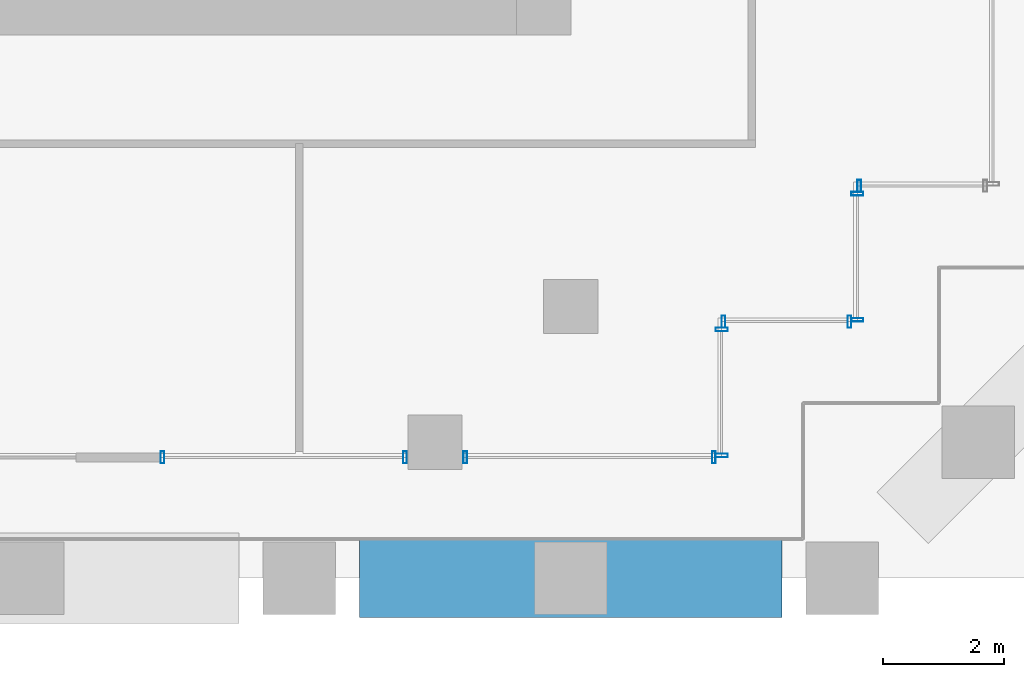
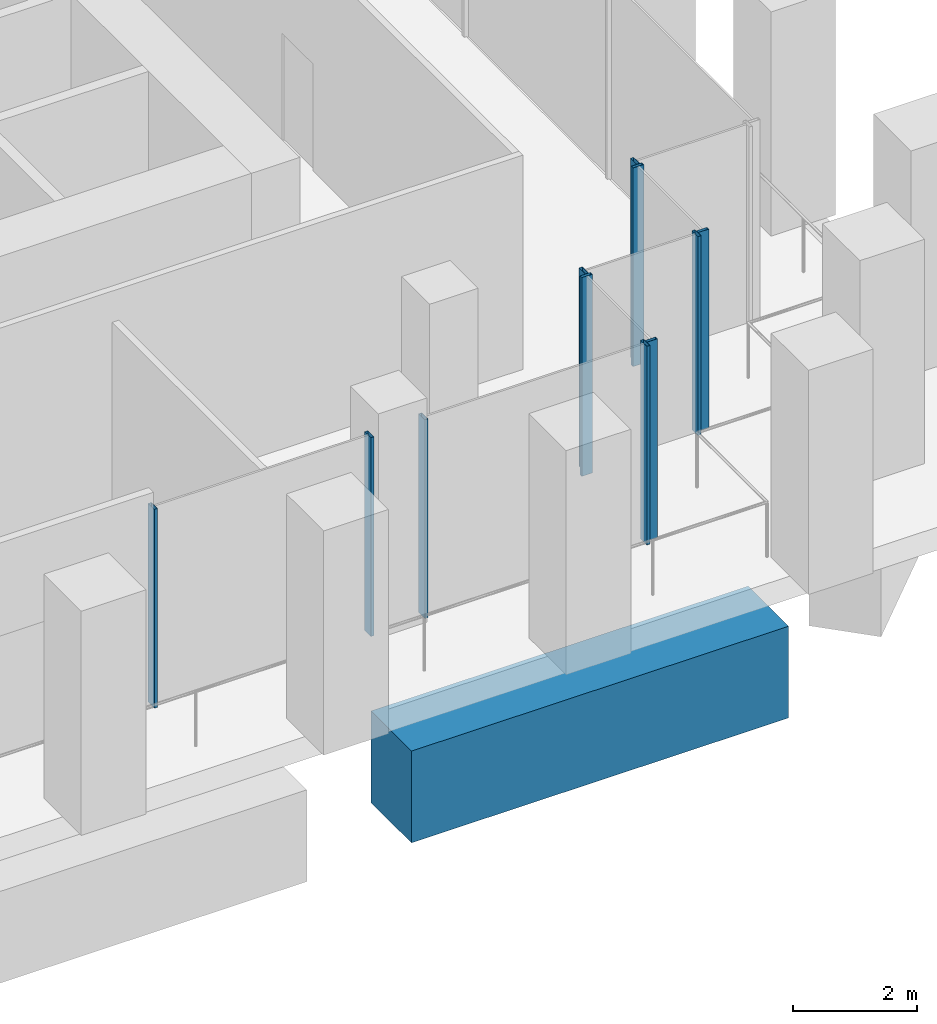
# One storey, part 17 of 32: 11 members, 1 beam, 6 elements without a shape of their own.
"""IFC4 building model written with IfcOpenShell, lengths in metres."""

from ifc_helpers import new_model, si_unit, direction, frame, origin, origin_2d, place, context, subcontext, project, spatial, rectangle, hollow_rectangle, extrude, material, material_profile, profile_set, type_object, element, aggregate, save


model = new_model("IFC4")

# Units and contexts
model_context = context("Model", 3, precision=1e-05, world=origin(), true_north=direction((0.0, 1.0)))
body_context = subcontext(model_context, "Body", "Model", "MODEL_VIEW")
ifc_project = project(units=[si_unit("LENGTHUNIT", "METRE"), si_unit("AREAUNIT", "SQUARE_METRE"), si_unit("VOLUMEUNIT", "CUBIC_METRE"), si_unit("PLANEANGLEUNIT", "RADIAN"), si_unit("MASSUNIT", "GRAM", prefix="KILO")], contexts=[model_context])

# Site, building, storey
site_placement = place(None, origin())
site = spatial("IfcSite", under=ifc_project, at=site_placement, CompositionType="ELEMENT")
building_placement = place(site_placement, origin())
building = spatial("IfcBuilding", under=site, at=building_placement, Name="Altepetl Exchange Towers", CompositionType="ELEMENT")
storey_placement = place(building_placement, frame((0.0, 0.0, 21.0)))
storey = spatial("IfcBuildingStorey", under=building, at=storey_placement, Name="L04", CompositionType="ELEMENT", Elevation=21.0)

# Curtain wall, members
ifc_material_1 = material(Name="Aluminium 6063-T6 glazing", Category="aluminium")
curtain_wall_type = type_object("IfcCurtainWallType", Name="Trading floor glazing system", PredefinedType="NOTDEFINED", material=ifc_material_1)
curtain_wall_1_placement = place(storey_placement, origin())
curtain_wall_1 = element("IfcCurtainWall", 1, at=curtain_wall_1_placement, inside=storey, type_object=curtain_wall_type, Name="CW2 run", PredefinedType="NOTDEFINED")
ifc_material_2 = material(Name="Aluminium 6063-T6", Category="aluminium")
ifc_material_profile_1 = material_profile(ifc_material_2, hollow_rectangle(XDim=0.06005859375, YDim=0.199951171875, WallThickness=0.0029296875, at=origin_2d()), Name="Mullion 60x200 aluminium")
ifc_profile_set_1 = profile_set([ifc_material_profile_1], Name="Aluminium 6063-T6")
member_type = type_object("IfcMemberType", Name="Mullion 60x200 aluminium", PredefinedType="MULLION", material=ifc_profile_set_1)
member_1_placement = place(storey_placement, frame((110.22998046875, 29.0, 0.0)))
member_1 = element("IfcMember", 2, at=member_1_placement, type_object=member_type, Name="MU2 mullion", PredefinedType="MULLION", context=body_context, shape_type="SweptSolid", body=[
    extrude(hollow_rectangle(XDim=0.06005859375, YDim=0.199951171875, WallThickness=0.0029296875, at=origin_2d()), origin(), (0.0, 0.0, 1.0), 3.89990234375),
])
member_2_placement = place(storey_placement, frame((114.25, 29.0, 0.0)))
member_2 = element("IfcMember", 3, at=member_2_placement, type_object=member_type, Name="MU2 mullion", PredefinedType="MULLION", context=body_context, shape_type="SweptSolid", body=[
    extrude(hollow_rectangle(XDim=0.06005859375, YDim=0.199951171875, WallThickness=0.0029296875, at=origin_2d()), origin(), (0.0, 0.0, 1.0), 3.89990234375),
])
aggregate(curtain_wall_1, [member_1, member_2])

curtain_wall_2_placement = place(storey_placement, origin())
curtain_wall_2 = element("IfcCurtainWall", 4, at=curtain_wall_2_placement, inside=storey, type_object=curtain_wall_type, Name="CW2 run", PredefinedType="NOTDEFINED")
member_3_placement = place(storey_placement, frame((115.25, 29.0, 0.0)))
member_3 = element("IfcMember", 5, at=member_3_placement, type_object=member_type, Name="MU2 mullion", PredefinedType="MULLION", context=body_context, shape_type="SweptSolid", body=[
    extrude(hollow_rectangle(XDim=0.06005859375, YDim=0.199951171875, WallThickness=0.0029296875, at=origin_2d()), origin(), (0.0, 0.0, 1.0), 3.89990234375),
])
member_4_placement = place(storey_placement, frame((119.3701171875, 29.0, 0.0)))
member_4 = element("IfcMember", 6, at=member_4_placement, type_object=member_type, Name="MU2 mullion", PredefinedType="MULLION", context=body_context, shape_type="SweptSolid", body=[
    extrude(hollow_rectangle(XDim=0.06005859375, YDim=0.199951171875, WallThickness=0.0029296875, at=origin_2d()), origin(), (0.0, 0.0, 1.0), 3.89990234375),
])
aggregate(curtain_wall_2, [member_3, member_4])

curtain_wall_3_placement = place(storey_placement, origin())
curtain_wall_3 = element("IfcCurtainWall", 7, at=curtain_wall_3_placement, inside=storey, type_object=curtain_wall_type, Name="CW2 run", PredefinedType="NOTDEFINED")
member_5_placement = place(storey_placement, frame((119.5, 29.030029296875, 0.0), z_axis=(0.0, 0.0, 1.0), x_axis=(0.0, 1.0, 0.0)))
member_5 = element("IfcMember", 8, at=member_5_placement, type_object=member_type, Name="MU2 mullion", PredefinedType="MULLION", context=body_context, shape_type="SweptSolid", body=[
    extrude(hollow_rectangle(XDim=0.06005859375, YDim=0.199951171875, WallThickness=0.0029296875, at=origin_2d()), origin(), (0.0, 0.0, 1.0), 3.89990234375),
])
member_6_placement = place(storey_placement, frame((119.5, 31.1201171875, 0.0), z_axis=(0.0, 0.0, 1.0), x_axis=(0.0, 1.0, 0.0)))
member_6 = element("IfcMember", 9, at=member_6_placement, type_object=member_type, Name="MU2 mullion", PredefinedType="MULLION", context=body_context, shape_type="SweptSolid", body=[
    extrude(hollow_rectangle(XDim=0.06005859375, YDim=0.199951171875, WallThickness=0.0029296875, at=origin_2d()), origin(), (0.0, 0.0, 1.0), 3.89990234375),
])
aggregate(curtain_wall_3, [member_5, member_6])

curtain_wall_4_placement = place(storey_placement, origin())
curtain_wall_4 = element("IfcCurtainWall", 10, at=curtain_wall_4_placement, inside=storey, type_object=curtain_wall_type, Name="CW2 run", PredefinedType="NOTDEFINED")
member_7_placement = place(storey_placement, frame((119.530029296875, 31.25, 0.0)))
member_7 = element("IfcMember", 11, at=member_7_placement, type_object=member_type, Name="MU2 mullion", PredefinedType="MULLION", context=body_context, shape_type="SweptSolid", body=[
    extrude(hollow_rectangle(XDim=0.06005859375, YDim=0.199951171875, WallThickness=0.0029296875, at=origin_2d()), origin(), (0.0, 0.0, 1.0), 3.89990234375),
])
member_8_placement = place(storey_placement, frame((121.6201171875, 31.25, 0.0)))
member_8 = element("IfcMember", 12, at=member_8_placement, type_object=member_type, Name="MU2 mullion", PredefinedType="MULLION", context=body_context, shape_type="SweptSolid", body=[
    extrude(hollow_rectangle(XDim=0.06005859375, YDim=0.199951171875, WallThickness=0.0029296875, at=origin_2d()), origin(), (0.0, 0.0, 1.0), 3.89990234375),
])
aggregate(curtain_wall_4, [member_7, member_8])

curtain_wall_5_placement = place(storey_placement, origin())
curtain_wall_5 = element("IfcCurtainWall", 13, at=curtain_wall_5_placement, inside=storey, type_object=curtain_wall_type, Name="CW2 run", PredefinedType="NOTDEFINED")
member_9_placement = place(storey_placement, frame((121.75, 31.280029296875, 0.0), z_axis=(0.0, 0.0, 1.0), x_axis=(0.0, 1.0, 0.0)))
member_9 = element("IfcMember", 14, at=member_9_placement, type_object=member_type, Name="MU2 mullion", PredefinedType="MULLION", context=body_context, shape_type="SweptSolid", body=[
    extrude(hollow_rectangle(XDim=0.06005859375, YDim=0.199951171875, WallThickness=0.0029296875, at=origin_2d()), origin(), (0.0, 0.0, 1.0), 3.89990234375),
])
member_10_placement = place(storey_placement, frame((121.75, 33.3701171875, 0.0), z_axis=(0.0, 0.0, 1.0), x_axis=(0.0, 1.0, 0.0)))
member_10 = element("IfcMember", 15, at=member_10_placement, type_object=member_type, Name="MU2 mullion", PredefinedType="MULLION", context=body_context, shape_type="SweptSolid", body=[
    extrude(hollow_rectangle(XDim=0.06005859375, YDim=0.199951171875, WallThickness=0.0029296875, at=origin_2d()), origin(), (0.0, 0.0, 1.0), 3.89990234375),
])
aggregate(curtain_wall_5, [member_9, member_10])

# Curtain wall, member
curtain_wall_6_placement = place(storey_placement, origin())
curtain_wall_6 = element("IfcCurtainWall", 16, at=curtain_wall_6_placement, inside=storey, type_object=curtain_wall_type, Name="CW2 run", PredefinedType="NOTDEFINED")
member_11_placement = place(storey_placement, frame((121.780029296875, 33.5, 0.0)))
member_11 = element("IfcMember", 17, at=member_11_placement, type_object=member_type, Name="MU2 mullion", PredefinedType="MULLION", context=body_context, shape_type="SweptSolid", body=[
    extrude(hollow_rectangle(XDim=0.06005859375, YDim=0.199951171875, WallThickness=0.0029296875, at=origin_2d()), origin(), (0.0, 0.0, 1.0), 3.89990234375),
])
aggregate(curtain_wall_6, [member_11])

# Beam
ifc_material_3 = material(Name="Concrete C60/75", Category="concrete")
ifc_material_profile_2 = material_profile(ifc_material_3, rectangle(XDim=1.300048828125, YDim=1.800048828125, at=origin_2d()), Name="1300 x 1800")
ifc_profile_set_2 = profile_set([ifc_material_profile_2], Name="Concrete C60/75")
beam_type = type_object("IfcBeamType", Name="Transfer girder 1300x1800", PredefinedType="BEAM", material=ifc_profile_set_2)
beam_placement = place(storey_placement, frame((113.5, 27.0, -1.35009765625), z_axis=(1.0, 0.0, 0.0), x_axis=(0.0, 1.0, 0.0)))
element("IfcBeam", 18, at=beam_placement, inside=storey, type_object=beam_type, Name="bm:B:L04:tg01", PredefinedType="BEAM", context=body_context, shape_type="SweptSolid", body=[
    extrude(rectangle(XDim=1.300048828125, YDim=1.800048828125, at=origin_2d()), origin(), (0.0, 0.0, 1.0), 7.0),
])

save(model, "model.ifc")
